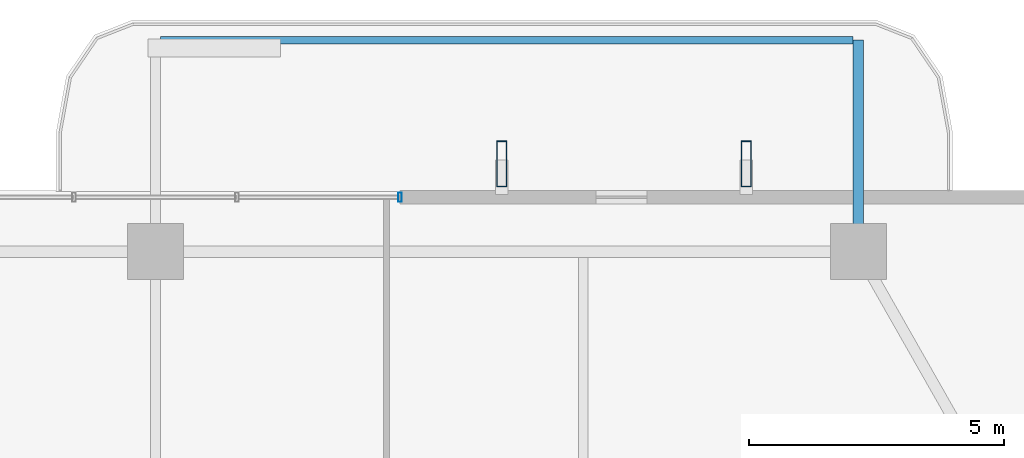
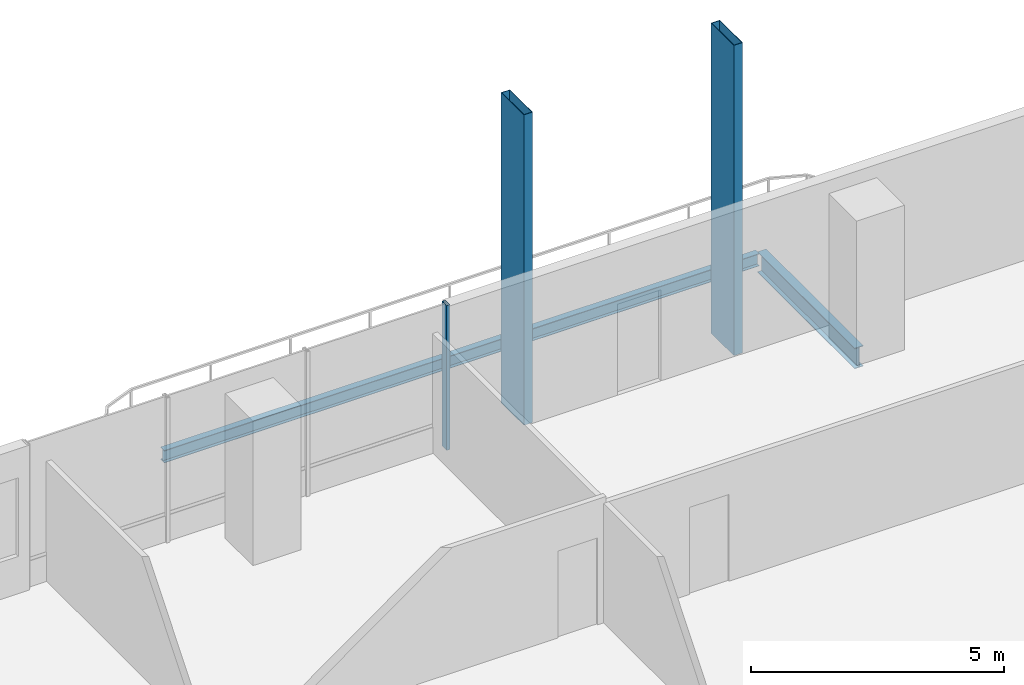
# One storey, part 15 of 24: 3 members, 2 beams, 1 element without a shape of its own.
"""IFC4 building model written with IfcOpenShell, lengths in metres."""

import ifcopenshell
import ifcopenshell.guid

model = None  # the IFC model being written
_history = None  # IfcOwnerHistory: only IFC2X3 demands one
_inside = {}  # id of a spatial element -> (the spatial element, [elements in it])
_under = {}  # id of a project, library or spatial element -> (it, [spatial elements below it])
_declared = {}  # id of a project -> (the project, [libraries it declares])
_typed = {}  # id of a type object -> (the type object, [elements of that type])
_made_of = {}  # id of a material, layer set ... -> (it, [elements and type objects made of it])


def new_model(schema):
    """Start an empty IFC model of exactly this schema.

    Asked for "IFC4X3", IfcOpenShell would pick the latest addendum, in which some entities
    have other attributes; the version numbers below select the first issue.
    IFC2X3 requires an IfcOwnerHistory on every rooted entity: one is made here for all.
    """
    global model, _history
    if schema == "IFC4X3":
        model = ifcopenshell.file(schema_version=(4, 3, 0, 0))
    else:
        model = ifcopenshell.file(schema=schema)
    _inside.clear()
    _under.clear()
    _declared.clear()
    _typed.clear()
    _made_of.clear()
    _history = None
    if model.schema == "IFC2X3":
        org = make("IfcOrganization", Name="unknown")
        user = make(
            "IfcPersonAndOrganization",
            ThePerson=make("IfcPerson", FamilyName="unknown"),
            TheOrganization=org,
        )
        app = make(
            "IfcApplication",
            ApplicationDeveloper=org,
            Version="unknown",
            ApplicationFullName="unknown",
            ApplicationIdentifier="unknown",
        )
        _history = make(
            "IfcOwnerHistory",
            OwningUser=user,
            OwningApplication=app,
            ChangeAction="ADDED",
            CreationDate=0,
        )
    return model


def make(cls, **values):
    """One entity of the class cls with the attributes given. An attribute that is None is left unset."""
    return model.create_entity(
        cls, **{name: value for name, value in values.items() if value is not None}
    )


def rooted(cls, **values):
    """An entity with a GlobalId (a new one), such as an element, a storey or a relation."""
    return make(cls, GlobalId=ifcopenshell.guid.new(), OwnerHistory=_history, **values)


def si_unit(unit_type, name, prefix=None):
    """IfcSIUnit, for example si_unit("LENGTHUNIT", "METRE", prefix="MILLI")."""
    return make("IfcSIUnit", UnitType=unit_type, Prefix=prefix, Name=name)


def assignment(units):
    """IfcUnitAssignment: the units of a project."""
    return None if units is None else make("IfcUnitAssignment", Units=units)


def point(xyz):
    """IfcCartesianPoint."""
    return None if xyz is None else make("IfcCartesianPoint", Coordinates=xyz)


def direction(xyz):
    """IfcDirection."""
    return None if xyz is None else make("IfcDirection", DirectionRatios=xyz)


def frame(location, z_axis=None, x_axis=None):
    """IfcAxis2Placement3D, a coordinate frame: its origin and axes. An axis left out is left unset."""
    return make(
        "IfcAxis2Placement3D",
        Location=point(location),
        Axis=direction(z_axis),
        RefDirection=direction(x_axis),
    )


def frame_2d(location, x_axis=None):
    """IfcAxis2Placement2D, a coordinate frame in the plane: its origin and x axis."""
    return make(
        "IfcAxis2Placement2D", Location=point(location), RefDirection=direction(x_axis)
    )


def origin():
    """The frame at (0, 0, 0) with its axes left unset."""
    return frame((0.0, 0.0, 0.0))


def origin_2d():
    """The frame at (0, 0) in the plane with its x axis left unset."""
    return frame_2d((0.0, 0.0))


def place(relative_to, where):
    """IfcLocalPlacement: puts the frame where relative to a parent placement (None: the world)."""
    return make(
        "IfcLocalPlacement", PlacementRelTo=relative_to, RelativePlacement=where
    )


def context(
    kind, dimensions, precision=None, world=None, true_north=None, identifier=None
):
    """IfcGeometricRepresentationContext, for example the 3D "Model" context."""
    return make(
        "IfcGeometricRepresentationContext",
        ContextIdentifier=identifier,
        ContextType=kind,
        CoordinateSpaceDimension=dimensions,
        Precision=precision,
        WorldCoordinateSystem=world,
        TrueNorth=true_north,
    )


def subcontext(parent, identifier, kind, view, scale=None):
    """IfcGeometricRepresentationSubContext, for example "Body" below "Model"."""
    return make(
        "IfcGeometricRepresentationSubContext",
        ContextIdentifier=identifier,
        ContextType=kind,
        ParentContext=parent,
        TargetScale=scale,
        TargetView=view,
    )


def project(units=None, contexts=None):
    """IfcProject with its units and contexts."""
    return rooted(
        "IfcProject",
        Name="project",
        RepresentationContexts=contexts,
        UnitsInContext=assignment(units),
    )


def spatial(cls, under=None, at=None, **own):
    """A site, building, storey or space (cls), placed at a placement, below another one or the project."""
    s = rooted(cls, ObjectPlacement=at, **own)
    if under is not None:
        _under.setdefault(under.id(), (under, []))[1].append(s)
    return s


def profile(cls, at=None, kind="AREA", **sizes):
    """A parametric profile (cls). Its sizes go by their IFC names, for example OverallWidth=200.0."""
    return make(cls, ProfileType=kind, Position=at, **sizes)


def hollow_rectangle(**sizes):
    """IfcRectangleHollowProfileDef."""
    return profile("IfcRectangleHollowProfileDef", **sizes)


def i_section(**sizes):
    """IfcIShapeProfileDef."""
    return profile("IfcIShapeProfileDef", **sizes)


def extrude(swept, where, along, depth):
    """IfcExtrudedAreaSolid: the profile swept, set in the frame where, extruded along a direction by depth."""
    return make(
        "IfcExtrudedAreaSolid",
        SweptArea=swept,
        Position=where,
        ExtrudedDirection=direction(along),
        Depth=depth,
    )


def shape(context_of_items, identifier, shape_type, items):
    """IfcShapeRepresentation: the items that make up one representation, for example the "Body"."""
    return make(
        "IfcShapeRepresentation",
        ContextOfItems=context_of_items,
        RepresentationIdentifier=identifier,
        RepresentationType=shape_type,
        Items=items,
    )


def material(Name=None, Category=None):
    """IfcMaterial."""
    return make("IfcMaterial", Name=Name, Category=Category)


def layer(
    of_material, thickness, ventilated=None, Name=None, Category=None, Priority=None
):
    """IfcMaterialLayer: one layer of a wall or slab, of a material (None: an air gap)."""
    return make(
        "IfcMaterialLayer",
        Material=of_material,
        LayerThickness=thickness,
        IsVentilated=ventilated,
        Name=Name,
        Category=Category,
        Priority=Priority,
    )


def layer_set(layers, Name=None):
    """IfcMaterialLayerSet."""
    return make("IfcMaterialLayerSet", MaterialLayers=layers, LayerSetName=Name)


def material_profile(
    of_material, cross_section, Name=None, Category=None, Priority=None
):
    """IfcMaterialProfile: a cross section and its material."""
    return make(
        "IfcMaterialProfile",
        Name=Name,
        Material=of_material,
        Profile=cross_section,
        Priority=Priority,
        Category=Category,
    )


def profile_set(profiles, Name=None, composite=None):
    """IfcMaterialProfileSet."""
    return make(
        "IfcMaterialProfileSet",
        Name=Name,
        MaterialProfiles=profiles,
        CompositeProfile=composite,
    )


def made_of(thing, what):
    """Note that an element or type object is made of a material, layer set ...; save() writes the relation."""
    if what is not None:
        _made_of.setdefault(what.id(), (what, []))[1].append(thing)
    return thing


def type_object(cls, material=None, **own):
    """A type object (cls), such as IfcWallType, which elements share."""
    return made_of(rooted(cls, **own), material)


def element(
    cls,
    number,
    at=None,
    inside=None,
    cuts=None,
    type_object=None,
    material=None,
    context=None,
    identifier="Body",
    shape_type=None,
    held_by="IfcProductDefinitionShape",
    body=None,
    shapes=None,
    **own,
):
    """One element of the class cls, such as IfcWall. Its Tag is "e" and its number.

    at: its placement. inside: the storey or other place that contains it. cuts: it is an
    opening in that element (IfcRelVoidsElement). A single representation is given by context,
    identifier, shape_type and body (its items); several are given by shapes. held_by: the class
    of the entity that holds the representations. save() writes the other relations.
    """
    e = rooted(cls, Tag="e%d" % number, ObjectPlacement=at, **own)
    if body is not None:
        shapes = [shape(context, identifier, shape_type, body)]
    if shapes is not None:
        e.Representation = make(held_by, Representations=shapes)
    if inside is not None:
        _inside.setdefault(inside.id(), (inside, []))[1].append(e)
    if cuts is not None:
        rooted(
            "IfcRelVoidsElement", RelatingBuildingElement=cuts, RelatedOpeningElement=e
        )
    if type_object is not None:
        _typed.setdefault(type_object.id(), (type_object, []))[1].append(e)
    return made_of(e, material)


def aggregate(whole, parts):
    """IfcRelAggregates: a whole, such as a stair, and the parts it consists of."""
    return rooted("IfcRelAggregates", RelatingObject=whole, RelatedObjects=parts)


def save(model, path):
    """Write the relations noted so far, then the file.

    IfcRelAggregates (storeys below a building ...), IfcRelContainedInSpatialStructure (elements
    in a storey), IfcRelDefinesByType, IfcRelAssociatesMaterial and IfcRelDeclares: one each for
    every whole, place, type object, material and project.
    """
    for whole, parts in _under.values():
        aggregate(whole, parts)
    for where, things in _inside.values():
        rooted(
            "IfcRelContainedInSpatialStructure",
            RelatedElements=things,
            RelatingStructure=where,
        )
    for kind, things in _typed.values():
        rooted("IfcRelDefinesByType", RelatedObjects=things, RelatingType=kind)
    for what, things in _made_of.values():
        rooted("IfcRelAssociatesMaterial", RelatedObjects=things, RelatingMaterial=what)
    for by, libraries in _declared.values():
        rooted("IfcRelDeclares", RelatingContext=by, RelatedDefinitions=libraries)
    model.write(path)


model = new_model("IFC4")

# Units and contexts
model_context = context("Model", 3, precision=1e-05, world=origin(), true_north=direction((0.0, 1.0)))
body_context = subcontext(model_context, "Body", "Model", "MODEL_VIEW")
ifc_project = project(units=[si_unit("LENGTHUNIT", "METRE"), si_unit("AREAUNIT", "SQUARE_METRE"), si_unit("VOLUMEUNIT", "CUBIC_METRE"), si_unit("PLANEANGLEUNIT", "RADIAN"), si_unit("MASSUNIT", "GRAM", prefix="KILO")], contexts=[model_context])

# Site, building, storey
site_placement = place(None, origin())
site = spatial("IfcSite", under=ifc_project, at=site_placement, CompositionType="ELEMENT")
building_placement = place(site_placement, origin())
building = spatial("IfcBuilding", under=site, at=building_placement, Name="Belovzor Exchange Tower", CompositionType="ELEMENT")
storey_placement = place(building_placement, frame((0.0, 0.0, 218.699951171875)))
storey = spatial("IfcBuildingStorey", under=building, at=storey_placement, Name="L54", CompositionType="ELEMENT", Elevation=218.699951171875)

# Beams
ifc_material_1 = material(Name="Steel S355", Category="steel")
ifc_material_profile_1 = material_profile(ifc_material_1, i_section(OverallWidth=0.199951171875, OverallDepth=0.5, WebThickness=0.01025390625, FlangeThickness=0.01611328125, at=origin_2d()))
ifc_profile_set_1 = profile_set([ifc_material_profile_1], Name="Steel S355")
beam_type_1 = type_object("IfcBeamType", Name="Planted Balcony Cantilever Beam IPE 500", PredefinedType="BEAM", material=ifc_profile_set_1)
beam_1_placement = place(storey_placement, frame((42.60009765625, 54.903076171875, -0.5), z_axis=(0.0, 1.0, 0.0), x_axis=(-1.0, 0.0, 0.0)))
element("IfcBeam", 1, at=beam_1_placement, inside=storey, type_object=beam_type_1, Name="BC-500 Planted Balcony Cantilever Beam IPE 500", PredefinedType="BEAM", context=body_context, shape_type="SweptSolid", body=[
    extrude(i_section(OverallWidth=0.199951171875, OverallDepth=0.5, WebThickness=0.01025390625, FlangeThickness=0.01611328125, at=origin_2d()), origin(), (0.0, 0.0, 1.0), 3.849853515625),
])
ifc_material_2 = material(Name="Steel S355", Category="steel")
ifc_material_profile_2 = material_profile(ifc_material_2, i_section(OverallWidth=0.14990234375, OverallDepth=0.300048828125, WebThickness=0.007080078125, FlangeThickness=0.0107421875, at=origin_2d()))
ifc_profile_set_2 = profile_set([ifc_material_profile_2], Name="Steel S355")
beam_type_2 = type_object("IfcBeamType", Name="Planted Balcony Fascia Edge Beam IPE 300", PredefinedType="BEAM", material=ifc_profile_set_2)
beam_2_placement = place(storey_placement, frame((42.5, 58.7529296875, -0.39990234375), z_axis=(-1.0, 0.0, 0.0), x_axis=(0.0, -1.0, 0.0)))
element("IfcBeam", 2, at=beam_2_placement, inside=storey, type_object=beam_type_2, Name="BC-300 Planted Balcony Fascia Edge Beam IPE 300", PredefinedType="BEAM", context=body_context, shape_type="SweptSolid", body=[
    extrude(i_section(OverallWidth=0.14990234375, OverallDepth=0.300048828125, WebThickness=0.007080078125, FlangeThickness=0.0107421875, at=origin_2d()), origin(), (0.0, 0.0, 1.0), 13.60009765625),
])

# Members
ifc_material_3 = material(Name="Extruded Architectural Terracotta on Steel S355 Carrier", Category="masonry")
ifc_material_profile_3 = material_profile(ifc_material_3, hollow_rectangle(XDim=0.199951171875, YDim=0.89990234375, WallThickness=0.011962890625, at=origin_2d()))
ifc_profile_set_3 = profile_set([ifc_material_profile_3], Name="Extruded Architectural Terracotta on Steel S355 Carrier")
member_type_1 = type_object("IfcMemberType", Name="Sweeping Terracotta Baguette Fin Assembly 950", PredefinedType="USERDEFINED", material=ifc_profile_set_3)
for number, where, z_axis, x_axis, name in (
    (3, (35.60009765625, 56.324951171875, -0.25), (0.0, 0.0, 1.0), (1.0, 0.0, 0.0), "FIN-TC095 Terracotta Facade Fin L54 N3"),
    (4, (40.39990234375, 56.324951171875, -0.25), (0.0, 0.0, 1.0), (1.0, 0.0, 0.0), "FIN-TC095 Terracotta Facade Fin L54 N4"),
):
    element("IfcMember", number, at=place(storey_placement, frame(where, z_axis=z_axis, x_axis=x_axis)), inside=storey, type_object=member_type_1, Name=name, ObjectType="FIN", PredefinedType="USERDEFINED", context=body_context, shape_type="SweptSolid", body=[
        extrude(hollow_rectangle(XDim=0.199951171875, YDim=0.89990234375, WallThickness=0.011962890625, at=origin_2d()), origin(), (0.0, 0.0, 1.0), 7.5),
    ])

# Curtain wall, member
ifc_material_4 = material(Name="Anodised Aluminium Framing", Category="aluminium")
ifc_layer = layer(ifc_material_4, 0.179931640625)
ifc_layer_set = layer_set([ifc_layer], Name="Anodised Aluminium Framing")
curtain_wall_type = type_object("IfcCurtainWallType", Name="Recessed Loggia Low-Iron Triple-Glazed Curtain Wall", PredefinedType="NOTDEFINED", material=ifc_layer_set)
curtain_wall_placement = place(storey_placement, origin())
curtain_wall = element("IfcCurtainWall", 5, at=curtain_wall_placement, inside=storey, type_object=curtain_wall_type, Name="CW3 Recessed Loggia Low-Iron Triple-Glazed Curtain Wall L54", PredefinedType="NOTDEFINED")
ifc_material_5 = material(Name="Steel S355", Category="steel")
ifc_material_profile_4 = material_profile(ifc_material_5, hollow_rectangle(XDim=0.074951171875, YDim=0.179931640625, WallThickness=0.0048828125, at=origin_2d()))
ifc_profile_set_4 = profile_set([ifc_material_profile_4], Name="Steel S355")
member_type_2 = type_object("IfcMemberType", Name="Thermally Broken Curtain Wall Mullion 180x75", PredefinedType="MULLION", material=ifc_profile_set_4)
member_placement = place(storey_placement, frame((33.60009765625, 55.669921875, 0.0), z_axis=(0.0, 0.0, 1.0), x_axis=(1.0, 0.0, 0.0)))
member = element("IfcMember", 6, at=member_placement, type_object=member_type_2, Name="CW-M180 Curtain Wall Mullion 4", PredefinedType="MULLION", context=body_context, shape_type="SweptSolid", body=[
    extrude(hollow_rectangle(XDim=0.074951171875, YDim=0.179931640625, WallThickness=0.0048828125, at=origin_2d()), origin(), (0.0, 0.0, 1.0), 3.5),
])
aggregate(curtain_wall, [member])

save(model, "model.ifc")
